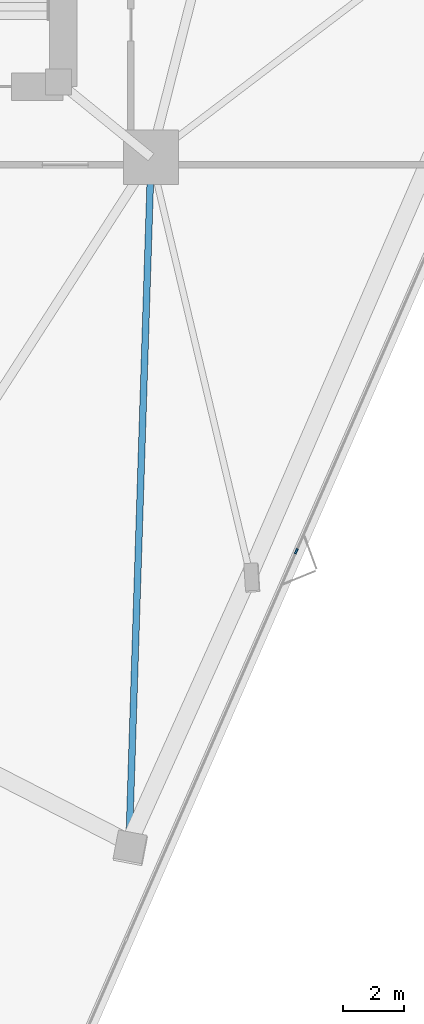
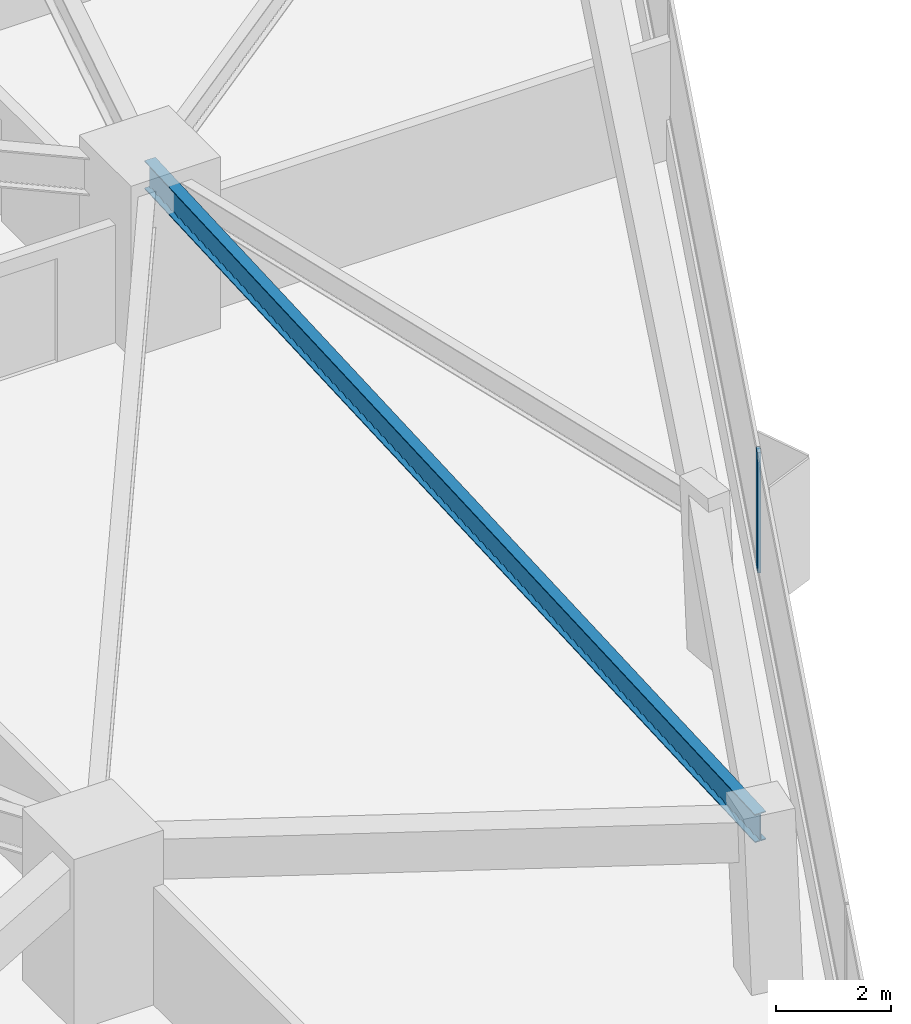
# One storey, part 5 of 20: 1 beam, 1 member, 1 element without a shape of its own.
"""IFC4 building model written with IfcOpenShell, lengths in metres."""

from ifc_helpers import new_model, si_unit, direction, frame, origin, origin_2d, place, context, subcontext, project, spatial, rectangle, i_section, extrude, material, layer, layer_set, material_profile, profile_set, type_object, element, aggregate, save


model = new_model("IFC4")

# Units and contexts
model_context = context("Model", 3, precision=1e-05, world=origin(), true_north=direction((0.0, 1.0)))
body_context = subcontext(model_context, "Body", "Model", "MODEL_VIEW")
ifc_project = project(units=[si_unit("LENGTHUNIT", "METRE"), si_unit("AREAUNIT", "SQUARE_METRE"), si_unit("VOLUMEUNIT", "CUBIC_METRE"), si_unit("PLANEANGLEUNIT", "RADIAN"), si_unit("MASSUNIT", "GRAM", prefix="KILO")], contexts=[model_context])

# Site, building, storey
site_placement = place(None, origin())
site = spatial("IfcSite", under=ifc_project, at=site_placement, CompositionType="ELEMENT")
building_placement = place(site_placement, origin())
building = spatial("IfcBuilding", under=site, at=building_placement, Name="Talyreon Biosciences Tower", CompositionType="ELEMENT")
storey_placement = place(building_placement, frame((0.0, 0.0, 59.300048828125)))
storey = spatial("IfcBuildingStorey", under=building, at=storey_placement, Name="L15", CompositionType="ELEMENT", Elevation=59.300048828125)

# Curtain wall, member
ifc_material_1 = material(Name="Thermally broken aluminium and low-E glazing", Category="aluminium")
ifc_layer = layer(ifc_material_1, 0.195068359375)
ifc_layer_set = layer_set([ifc_layer], Name="Thermally broken aluminium and low-E glazing")
curtain_wall_type = type_object("IfcCurtainWallType", Name="CurtainWall_Zone1WetLab", PredefinedType="NOTDEFINED", material=ifc_layer_set)
curtain_wall_placement = place(storey_placement, origin())
curtain_wall = element("IfcCurtainWall", 1, at=curtain_wall_placement, inside=storey, type_object=curtain_wall_type, Name="L15 Unitised Curtain Wall FCW-L15-08", PredefinedType="NOTDEFINED")
ifc_material_2 = material(Name="Anodised thermally broken aluminium", Category="aluminium")
ifc_material_profile_1 = material_profile(ifc_material_2, rectangle(XDim=0.06494140625, YDim=0.179931640625, at=origin_2d()), Name="ALUM MULLION 65x180")
ifc_profile_set_1 = profile_set([ifc_material_profile_1], Name="Anodised thermally broken aluminium")
member_type = type_object("IfcMemberType", Name="CWMullion_65x180", PredefinedType="MULLION", material=ifc_profile_set_1)
member_placement = place(storey_placement, frame((81.8564453125, 45.933837890625, 0.81005859375), z_axis=(0.0, 0.0, 1.0), x_axis=(0.916092182361, -0.400967721165, 0.0)))
member = element("IfcMember", 2, at=member_placement, type_object=member_type, Name="CW2 mullion 4", PredefinedType="MULLION", context=body_context, shape_type="SweptSolid", body=[
    extrude(rectangle(XDim=0.06494140625, YDim=0.179931640625, at=origin_2d()), origin(), (0.0, 0.0, 1.0), 2.56494140625),
])
aggregate(curtain_wall, [member])

# Beam
ifc_material_3 = material(Name="Steel SM355", Category="steel")
ifc_material_profile_2 = material_profile(ifc_material_3, i_section(OverallWidth=0.219970703125, OverallDepth=0.60009765625, WebThickness=0.011962890625, FlangeThickness=0.01904296875, FilletRadius=0.02392578125, at=origin_2d()), Name="IPE600")
ifc_profile_set_2 = profile_set([ifc_material_profile_2], Name="Steel SM355")
beam_type = type_object("IfcBeamType", Name="SteelJoist_IPE600", PredefinedType="JOIST", material=ifc_profile_set_2)
beam_placement = place(storey_placement, frame((77.086181640625, 58.88037109375, 3.074951171875), z_axis=(-0.032014365542, -0.999487408825, 0.0), x_axis=(0.999487408825, -0.032014365542, 0.0)))
element("IfcBeam", 3, at=beam_placement, inside=storey, type_object=beam_type, Name="L15 Radial Composite Floor Joist PC-SE1", PredefinedType="JOIST", context=body_context, shape_type="SweptSolid", body=[
    extrude(i_section(OverallWidth=0.219970703125, OverallDepth=0.60009765625, WebThickness=0.011962890625, FlangeThickness=0.01904296875, FilletRadius=0.02392578125, at=origin_2d()), origin(), (0.0, 0.0, 1.0), 22.53466796875),
])

save(model, "model.ifc")
